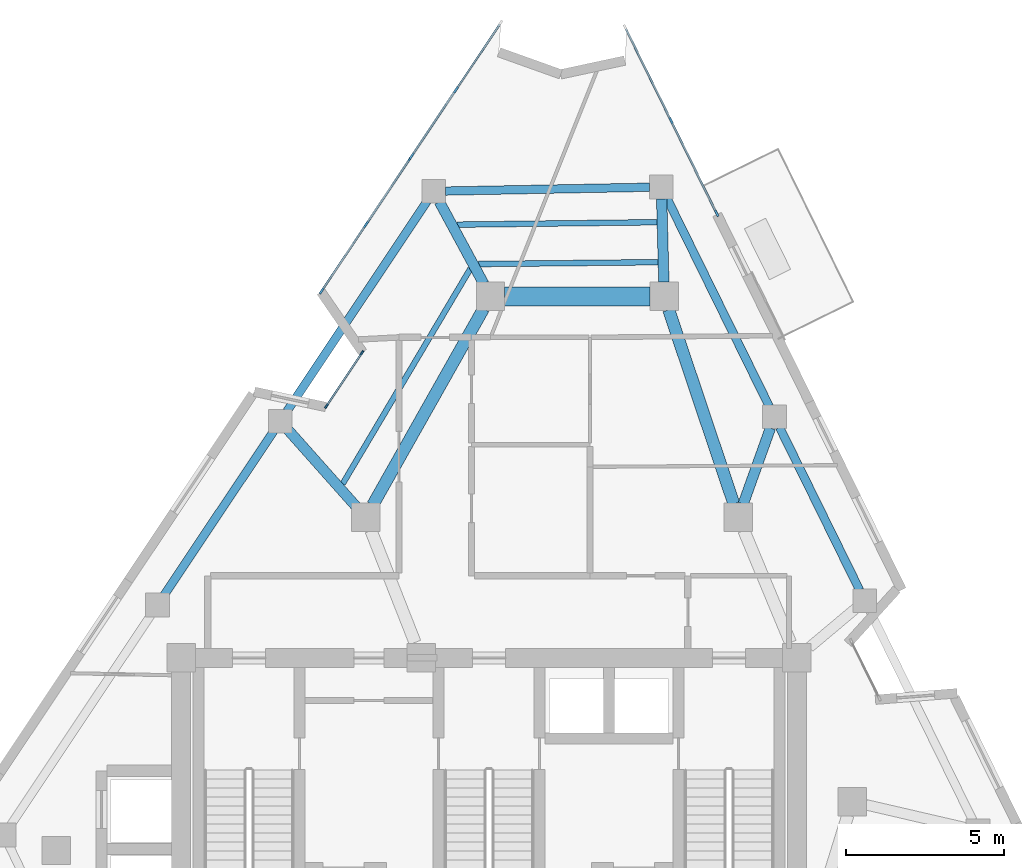
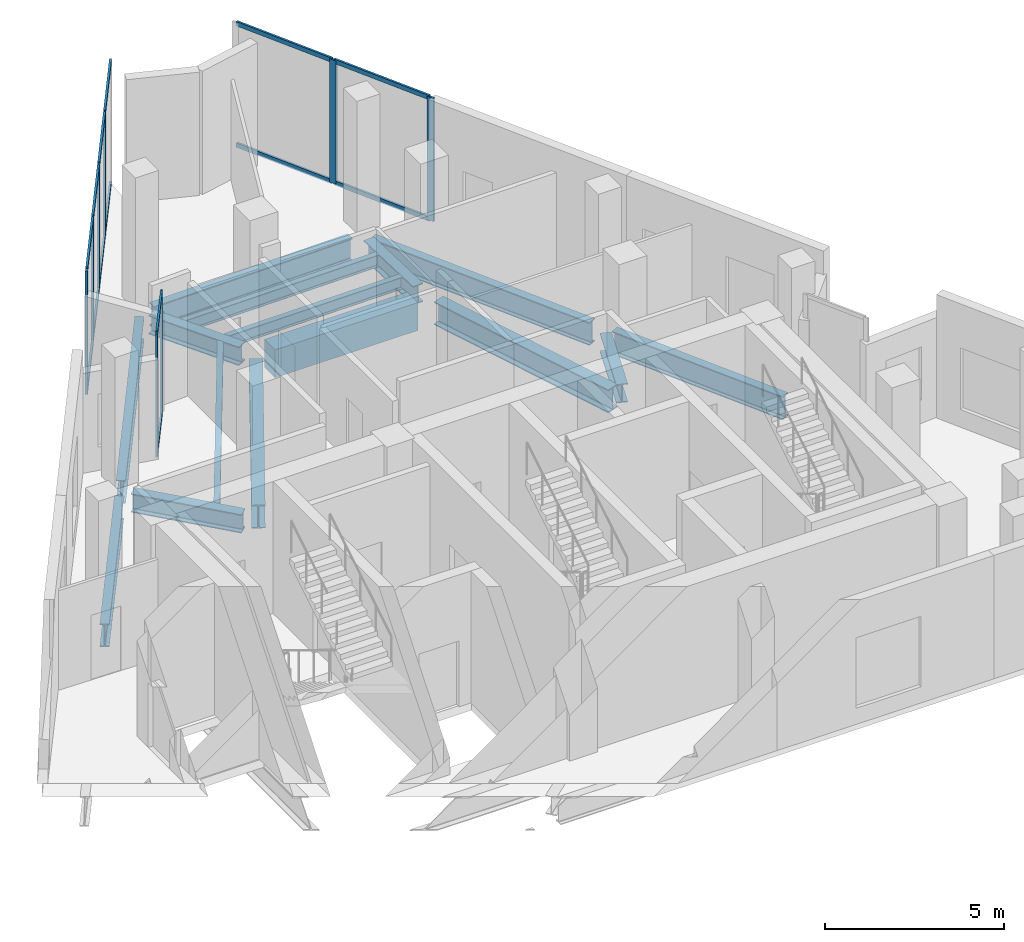
# One storey, part 3 of 9: 23 members, 15 beams, 4 elements without a shape of their own.
"""IFC4 building model written with IfcOpenShell, lengths in metres."""

from ifc_helpers import new_model, si_unit, direction, frame, origin, origin_2d, place, context, subcontext, project, spatial, rectangle, i_section, extrude, material, layer, layer_set, material_profile, profile_set, type_object, element, aggregate, save


model = new_model("IFC4")

# Units and contexts
model_context = context("Model", 3, precision=1e-05, world=origin(), true_north=direction((0.0, 1.0)))
body_context = subcontext(model_context, "Body", "Model", "MODEL_VIEW")
ifc_project = project(units=[si_unit("LENGTHUNIT", "METRE"), si_unit("AREAUNIT", "SQUARE_METRE"), si_unit("VOLUMEUNIT", "CUBIC_METRE"), si_unit("PLANEANGLEUNIT", "RADIAN"), si_unit("MASSUNIT", "GRAM", prefix="KILO")], contexts=[model_context])

# Site, building, storey
site_placement = place(None, origin())
site = spatial("IfcSite", under=ifc_project, at=site_placement, CompositionType="ELEMENT")
building_placement = place(site_placement, origin())
building = spatial("IfcBuilding", under=site, at=building_placement, Name="Almagre Mirador Tower", CompositionType="ELEMENT")
storey_placement = place(building_placement, frame((0.0, 0.0, 289.5)))
storey = spatial("IfcBuildingStorey", under=building, at=storey_placement, Name="L75", CompositionType="ELEMENT", Elevation=289.5)

# Beams
ifc_material_1 = material(Name="Steel ASTM A992 Grade 50", Category="steel")
ifc_material_profile_1 = material_profile(ifc_material_1, i_section(OverallWidth=0.178955078125, OverallDepth=0.408935546875, WebThickness=0.0087890625, FlangeThickness=0.014404296875, FilletRadius=0.013916015625, at=origin_2d()), Name="W16X45")
ifc_profile_set_1 = profile_set([ifc_material_profile_1], Name="Steel ASTM A992 Grade 50")
beam_type_1 = type_object("IfcBeamType", Name="BM-JST-W16X45", PredefinedType="JOIST", material=ifc_profile_set_1)
beam_1_placement = place(storey_placement, frame((42.62451171875, 28.546630859375, -0.50439453125), z_axis=(-0.999926806347, -0.012098840784, 0.0), x_axis=(0.012098840784, -0.999926806347, 0.0)))
element("IfcBeam", 1, at=beam_1_placement, inside=storey, type_object=beam_type_1, Name="L75 secondary floor joist PC08-PC09.1", PredefinedType="JOIST", context=body_context, shape_type="SweptSolid", body=[
    extrude(i_section(OverallWidth=0.178955078125, OverallDepth=0.408935546875, WebThickness=0.0087890625, FlangeThickness=0.014404296875, FilletRadius=0.013916015625, at=origin_2d()), origin(), (0.0, 0.0, 1.0), 6.336181640625),
])
beam_2_placement = place(storey_placement, frame((42.656982421875, 27.281005859375, -0.50439453125), z_axis=(-0.999945713719, -0.010419674461, 0.0), x_axis=(0.010419674461, -0.999945713719, 0.0)))
element("IfcBeam", 2, at=beam_2_placement, inside=storey, type_object=beam_type_1, Name="L75 secondary floor joist PC08-PC09.3", PredefinedType="JOIST", context=body_context, shape_type="SweptSolid", body=[
    extrude(i_section(OverallWidth=0.178955078125, OverallDepth=0.408935546875, WebThickness=0.0087890625, FlangeThickness=0.014404296875, FilletRadius=0.013916015625, at=origin_2d()), origin(), (0.0, 0.0, 1.0), 5.693603515625),
])
beam_3_placement = place(storey_placement, frame((36.71435546875, 27.078125, -0.50439453125), z_axis=(-0.510523100762, -0.85986403785, 0.0), x_axis=(0.85986403785, -0.510523100762, 0.0)))
element("IfcBeam", 3, at=beam_3_placement, inside=storey, type_object=beam_type_1, Name="L75 secondary floor joist PC09-PC10.3", PredefinedType="JOIST", context=body_context, shape_type="SweptSolid", body=[
    extrude(i_section(OverallWidth=0.178955078125, OverallDepth=0.408935546875, WebThickness=0.0087890625, FlangeThickness=0.014404296875, FilletRadius=0.013916015625, at=origin_2d()), origin(), (0.0, 0.0, 1.0), 7.927978515625),
])
ifc_material_2 = material(Name="Concrete C60/75", Category="concrete")
ifc_material_profile_2 = material_profile(ifc_material_2, rectangle(XDim=0.60009765625, YDim=0.949951171875, at=origin_2d()), Name="RC600X950")
ifc_profile_set_2 = profile_set([ifc_material_profile_2], Name="Concrete C60/75")
beam_type_2 = type_object("IfcBeamType", Name="BM-LIN-RC600X950", PredefinedType="LINTEL", material=ifc_profile_set_2)
beam_4_placement = place(storey_placement, frame((37.800048828125, 26.199951171875, -0.77490234375), z_axis=(1.0, 0.0, 0.0), x_axis=(0.0, 1.0, 0.0)))
element("IfcBeam", 4, at=beam_4_placement, inside=storey, type_object=beam_type_2, Name="L75 coupled header lintel LN-01", PredefinedType="LINTEL", context=body_context, shape_type="SweptSolid", body=[
    extrude(rectangle(XDim=0.60009765625, YDim=0.949951171875, at=origin_2d()), origin(), (0.0, 0.0, 1.0), 4.599853515625),
])
ifc_material_3 = material(Name="Steel ASTM A992 Grade 50", Category="steel")
ifc_material_profile_3 = material_profile(ifc_material_3, i_section(OverallWidth=0.26708984375, OverallDepth=0.779052734375, WebThickness=0.0166015625, FlangeThickness=0.030029296875, FilletRadius=0.02392578125, at=origin_2d()), Name="W30X148")
ifc_profile_set_3 = profile_set([ifc_material_profile_3], Name="Steel ASTM A992 Grade 50")
beam_type_3 = type_object("IfcBeamType", Name="BM-SPN-W30X148", PredefinedType="SPANDREL", material=ifc_profile_set_3)
beam_5_placement = place(storey_placement, frame((49.03955078125, 16.89453125, -0.689453125), z_axis=(-0.441283159843, 0.897367913867, 0.0), x_axis=(-0.897367913867, -0.441283159843, 0.0)))
element("IfcBeam", 5, at=beam_5_placement, inside=storey, type_object=beam_type_3, Name="L75 perimeter spandrel beam PC06-PC07", PredefinedType="SPANDREL", context=body_context, shape_type="SweptSolid", body=[
    extrude(i_section(OverallWidth=0.26708984375, OverallDepth=0.779052734375, WebThickness=0.0166015625, FlangeThickness=0.030029296875, FilletRadius=0.02392578125, at=origin_2d()), origin(), (0.0, 0.0, 1.0), 5.739990234375),
])
beam_6_placement = place(storey_placement, frame((46.175537109375, 22.718505859375, -0.689453125), z_axis=(-0.441288138853, 0.897365465408, 0.0), x_axis=(-0.897365465408, -0.441288138853, 0.0)))
element("IfcBeam", 6, at=beam_6_placement, inside=storey, type_object=beam_type_3, Name="L75 perimeter spandrel beam PC07-PC08", PredefinedType="SPANDREL", context=body_context, shape_type="SweptSolid", body=[
    extrude(i_section(OverallWidth=0.26708984375, OverallDepth=0.779052734375, WebThickness=0.0166015625, FlangeThickness=0.030029296875, FilletRadius=0.02392578125, at=origin_2d()), origin(), (0.0, 0.0, 1.0), 7.362548828125),
])
beam_7_placement = place(storey_placement, frame((42.385986328125, 29.65478515625, -0.689453125), z_axis=(-0.99982288109, -0.018820373253, 0.0), x_axis=(0.018820373253, -0.99982288109, 0.0)))
element("IfcBeam", 7, at=beam_7_placement, inside=storey, type_object=beam_type_3, Name="L75 perimeter spandrel beam PC08-PC09", PredefinedType="SPANDREL", context=body_context, shape_type="SweptSolid", body=[
    extrude(i_section(OverallWidth=0.26708984375, OverallDepth=0.779052734375, WebThickness=0.0166015625, FlangeThickness=0.030029296875, FilletRadius=0.02392578125, at=origin_2d()), origin(), (0.0, 0.0, 1.0), 6.460205078125),
])
beam_8_placement = place(storey_placement, frame((35.34375, 29.214111328125, -0.689453125), z_axis=(-0.555228061938, -0.831698141898, 0.0), x_axis=(0.831698141898, -0.555228061938, 0.0)))
element("IfcBeam", 8, at=beam_8_placement, inside=storey, type_object=beam_type_3, Name="L75 perimeter spandrel beam PC09-PC10", PredefinedType="SPANDREL", context=body_context, shape_type="SweptSolid", body=[
    extrude(i_section(OverallWidth=0.26708984375, OverallDepth=0.779052734375, WebThickness=0.0166015625, FlangeThickness=0.030029296875, FilletRadius=0.02392578125, at=origin_2d()), origin(), (0.0, 0.0, 1.0), 8.003173828125),
])
beam_9_placement = place(storey_placement, frame((30.48388671875, 21.93408203125, -0.689453125), z_axis=(-0.555240722479, -0.831689689789, 0.0), x_axis=(0.831689689789, -0.555240722479, 0.0)))
element("IfcBeam", 9, at=beam_9_placement, inside=storey, type_object=beam_type_3, Name="L75 perimeter spandrel beam PC10-PC11", PredefinedType="SPANDREL", context=body_context, shape_type="SweptSolid", body=[
    extrude(i_section(OverallWidth=0.26708984375, OverallDepth=0.779052734375, WebThickness=0.0166015625, FlangeThickness=0.030029296875, FilletRadius=0.02392578125, at=origin_2d()), origin(), (0.0, 0.0, 1.0), 6.252685546875),
])
ifc_material_4 = material(Name="Steel ASTM A992 Grade 50", Category="steel")
ifc_material_profile_4 = material_profile(ifc_material_4, i_section(OverallWidth=0.330078125, OverallDepth=0.635009765625, WebThickness=0.017822265625, FlangeThickness=0.031005859375, FilletRadius=0.02001953125, at=origin_2d()), Name="W24X162")
ifc_profile_set_4 = profile_set([ifc_material_profile_4], Name="Steel ASTM A992 Grade 50")
beam_type_4 = type_object("IfcBeamType", Name="BM-STL-W24X162", PredefinedType="BEAM", material=ifc_profile_set_4)
beam_10_placement = place(storey_placement, frame((46.21435546875, 22.029052734375, -0.617431640625), z_axis=(-0.337528381074, -0.941315352031, 0.0), x_axis=(0.941315352031, -0.337528381074, 0.0)))
element("IfcBeam", 10, at=beam_10_placement, inside=storey, type_object=beam_type_4, Name="L75 radial floor girder PC07-MC5", PredefinedType="BEAM", context=body_context, shape_type="SweptSolid", body=[
    extrude(i_section(OverallWidth=0.330078125, OverallDepth=0.635009765625, WebThickness=0.017822265625, FlangeThickness=0.031005859375, FilletRadius=0.02001953125, at=origin_2d()), origin(), (0.0, 0.0, 1.0), 2.555419921875),
])
beam_11_placement = place(storey_placement, frame((42.7705078125, 29.287109375, -0.617431640625), z_axis=(0.025727456063, -0.99966899422, 0.0), x_axis=(0.99966899422, 0.025727456063, 0.0)))
element("IfcBeam", 11, at=beam_11_placement, inside=storey, type_object=beam_type_4, Name="L75 radial floor girder PC08-MC6", PredefinedType="BEAM", context=body_context, shape_type="SweptSolid", body=[
    extrude(i_section(OverallWidth=0.330078125, OverallDepth=0.635009765625, WebThickness=0.017822265625, FlangeThickness=0.031005859375, FilletRadius=0.02001953125, at=origin_2d()), origin(), (0.0, 0.0, 1.0), 2.63818359375),
])
beam_12_placement = place(storey_placement, frame((35.730224609375, 29.196044921875, -0.617431640625), z_axis=(0.475596501602, -0.879663553675, 0.0), x_axis=(0.879663553675, 0.475596501602, 0.0)))
element("IfcBeam", 12, at=beam_12_placement, inside=storey, type_object=beam_type_4, Name="L75 radial floor girder PC09-MC7", PredefinedType="BEAM", context=body_context, shape_type="SweptSolid", body=[
    extrude(i_section(OverallWidth=0.330078125, OverallDepth=0.635009765625, WebThickness=0.017822265625, FlangeThickness=0.031005859375, FilletRadius=0.02001953125, at=origin_2d()), origin(), (0.0, 0.0, 1.0), 2.955810546875),
])
beam_13_placement = place(storey_placement, frame((30.941162109375, 21.9658203125, -0.617431640625), z_axis=(0.664433759144, -0.747347161438, 0.0), x_axis=(0.747347161438, 0.664433759144, 0.0)))
element("IfcBeam", 13, at=beam_13_placement, inside=storey, type_object=beam_type_4, Name="L75 radial floor girder PC10-MC8", PredefinedType="BEAM", context=body_context, shape_type="SweptSolid", body=[
    extrude(i_section(OverallWidth=0.330078125, OverallDepth=0.635009765625, WebThickness=0.017822265625, FlangeThickness=0.031005859375, FilletRadius=0.02001953125, at=origin_2d()), origin(), (0.0, 0.0, 1.0), 3.250732421875),
])
ifc_material_5 = material(Name="Steel ASTM A992 Grade 50", Category="steel")
ifc_material_profile_5 = material_profile(ifc_material_5, i_section(OverallWidth=0.384033203125, OverallDepth=0.784912109375, WebThickness=0.019775390625, FlangeThickness=0.033447265625, FilletRadius=0.02392578125, at=origin_2d()), Name="W30X211")
ifc_profile_set_5 = profile_set([ifc_material_profile_5], Name="Steel ASTM A992 Grade 50")
beam_type_5 = type_object("IfcBeamType", Name="BM-STL-W30X211", PredefinedType="BEAM", material=ifc_profile_set_5)
beam_14_placement = place(storey_placement, frame((42.9931640625, 25.7734375, -0.6923828125), z_axis=(0.318282890726, -0.947995781357, 0.0), x_axis=(0.947995781357, 0.318282890726, 0.0)))
element("IfcBeam", 14, at=beam_14_placement, inside=storey, type_object=beam_type_5, Name="L75 core tie girder MC6-MC5", PredefinedType="BEAM", context=body_context, shape_type="SweptSolid", body=[
    extrude(i_section(OverallWidth=0.384033203125, OverallDepth=0.784912109375, WebThickness=0.019775390625, FlangeThickness=0.033447265625, FilletRadius=0.02392578125, at=origin_2d()), origin(), (0.0, 0.0, 1.0), 6.48388671875),
])
beam_15_placement = place(storey_placement, frame((37.12890625, 25.80810546875, -0.6923828125), z_axis=(-0.491446261843, -0.870907900825, 0.0), x_axis=(0.870907900825, -0.491446261843, 0.0)))
element("IfcBeam", 15, at=beam_15_placement, inside=storey, type_object=beam_type_5, Name="L75 core tie girder MC7-MC8", PredefinedType="BEAM", context=body_context, shape_type="SweptSolid", body=[
    extrude(i_section(OverallWidth=0.384033203125, OverallDepth=0.784912109375, WebThickness=0.019775390625, FlangeThickness=0.033447265625, FilletRadius=0.02392578125, at=origin_2d()), origin(), (0.0, 0.0, 1.0), 7.1376953125),
])

# Curtain wall, members
ifc_material_6 = material(Name="Black anodized aluminium", Category="aluminium")
ifc_layer_1 = layer(ifc_material_6, 0.169921875)
ifc_layer_set_1 = layer_set([ifc_layer_1], Name="Black anodized aluminium")
curtain_wall_type_1 = type_object("IfcCurtainWallType", Name="CW-CRS-SYS", PredefinedType="NOTDEFINED", material=ifc_layer_set_1)
curtain_wall_1_placement = place(storey_placement, origin())
curtain_wall_1 = element("IfcCurtainWall", 16, at=curtain_wall_1_placement, inside=storey, type_object=curtain_wall_type_1, Name="L75 vertical crease curtain wall 01", PredefinedType="NOTDEFINED")
ifc_material_7 = material(Name="Black anodized aluminium", Category="aluminium")
ifc_material_profile_6 = material_profile(ifc_material_7, rectangle(XDim=0.06005859375, YDim=0.14990234375, at=origin_2d()), Name="CWM60X150")
ifc_profile_set_6 = profile_set([ifc_material_profile_6], Name="Black anodized aluminium")
member_type_1 = type_object("IfcMemberType", Name="MBR-CWM60X150", PredefinedType="MULLION", material=ifc_profile_set_6)
member_1_placement = place(storey_placement, frame((32.151611328125, 22.721923828125, 0.0), z_axis=(0.0, 0.0, 1.0), x_axis=(-0.83153468861, 0.555472827093, 0.0)))
member_1 = element("IfcMember", 17, at=member_1_placement, type_object=member_type_1, Name="CW-4 mullion 1", PredefinedType="MULLION", context=body_context, shape_type="SweptSolid", body=[
    extrude(rectangle(XDim=0.06005859375, YDim=0.14990234375, at=origin_2d()), origin(), (0.0, 0.0, 1.0), 4.199951171875),
])
member_2_placement = place(storey_placement, frame((33.279296875, 24.41015625, 0.0), z_axis=(0.0, 0.0, 1.0), x_axis=(-0.83153468861, 0.555472827093, 0.0)))
member_2 = element("IfcMember", 18, at=member_2_placement, type_object=member_type_1, Name="CW-4 mullion 2", PredefinedType="MULLION", context=body_context, shape_type="SweptSolid", body=[
    extrude(rectangle(XDim=0.06005859375, YDim=0.14990234375, at=origin_2d()), origin(), (0.0, 0.0, 1.0), 4.199951171875),
])

ifc_material_8 = material(Name="Black anodized aluminium", Category="aluminium")
ifc_layer_2 = layer(ifc_material_8, 0.22998046875)
ifc_layer_set_2 = layer_set([ifc_layer_2], Name="Black anodized aluminium")
curtain_wall_type_2 = type_object("IfcCurtainWallType", Name="CW-SKY-SYS", PredefinedType="NOTDEFINED", material=ifc_layer_set_2)
curtain_wall_2_placement = place(storey_placement, origin())
curtain_wall_2 = element("IfcCurtainWall", 19, at=curtain_wall_2_placement, inside=storey, type_object=curtain_wall_type_2, Name="L75 curtain wall run 02", PredefinedType="NOTDEFINED")
ifc_material_9 = material(Name="Black anodized aluminium", Category="aluminium")
ifc_material_profile_7 = material_profile(ifc_material_9, rectangle(XDim=0.070068359375, YDim=0.2099609375, at=origin_2d()), Name="CWM70X210")
ifc_profile_set_7 = profile_set([ifc_material_profile_7], Name="Black anodized aluminium")
member_type_2 = type_object("IfcMemberType", Name="MBR-CWM70X210", PredefinedType="MULLION", material=ifc_profile_set_7)
member_3_placement = place(storey_placement, frame((32.00146484375, 26.369140625, 0.0), z_axis=(0.0, 0.0, 1.0), x_axis=(-0.831675236071, 0.555262371952, 0.0)))
member_3 = element("IfcMember", 20, at=member_3_placement, type_object=member_type_2, Name="CW-5 mullion 1", PredefinedType="MULLION", context=body_context, shape_type="SweptSolid", body=[
    extrude(rectangle(XDim=0.070068359375, YDim=0.2099609375, at=origin_2d()), origin(), (0.0, 0.0, 1.0), 4.199951171875),
])
member_4_placement = place(storey_placement, frame((33.40625, 28.47314453125, 0.0), z_axis=(0.0, 0.0, 1.0), x_axis=(-0.831675236071, 0.555262371952, 0.0)))
member_4 = element("IfcMember", 21, at=member_4_placement, type_object=member_type_2, Name="CW-5 mullion 2", PredefinedType="MULLION", context=body_context, shape_type="SweptSolid", body=[
    extrude(rectangle(XDim=0.070068359375, YDim=0.2099609375, at=origin_2d()), origin(), (0.0, 0.0, 1.0), 4.199951171875),
])
member_5_placement = place(storey_placement, frame((34.81103515625, 30.577392578125, 0.0), z_axis=(0.0, 0.0, 1.0), x_axis=(-0.831675236071, 0.555262371952, 0.0)))
member_5 = element("IfcMember", 22, at=member_5_placement, type_object=member_type_2, Name="CW-5 mullion 3", PredefinedType="MULLION", context=body_context, shape_type="SweptSolid", body=[
    extrude(rectangle(XDim=0.070068359375, YDim=0.2099609375, at=origin_2d()), origin(), (0.0, 0.0, 1.0), 4.199951171875),
])

curtain_wall_3_placement = place(storey_placement, origin())
curtain_wall_3 = element("IfcCurtainWall", 23, at=curtain_wall_3_placement, inside=storey, type_object=curtain_wall_type_2, Name="L75 curtain wall run 03", PredefinedType="NOTDEFINED")
member_6_placement = place(storey_placement, frame((34.849853515625, 30.635498046875, 0.0), z_axis=(0.0, 0.0, 1.0), x_axis=(-0.831675236071, 0.555262371952, 0.0)))
member_6 = element("IfcMember", 24, at=member_6_placement, type_object=member_type_2, Name="CW-5 mullion 1", PredefinedType="MULLION", context=body_context, shape_type="SweptSolid", body=[
    extrude(rectangle(XDim=0.070068359375, YDim=0.2099609375, at=origin_2d()), origin(), (0.0, 0.0, 1.0), 4.199951171875),
])
member_7_placement = place(storey_placement, frame((36.254638671875, 32.73974609375, 0.0), z_axis=(0.0, 0.0, 1.0), x_axis=(-0.831675236071, 0.555262371952, 0.0)))
member_7 = element("IfcMember", 25, at=member_7_placement, type_object=member_type_2, Name="CW-5 mullion 2", PredefinedType="MULLION", context=body_context, shape_type="SweptSolid", body=[
    extrude(rectangle(XDim=0.070068359375, YDim=0.2099609375, at=origin_2d()), origin(), (0.0, 0.0, 1.0), 4.199951171875),
])

curtain_wall_4_placement = place(storey_placement, origin())
curtain_wall_4 = element("IfcCurtainWall", 26, at=curtain_wall_4_placement, inside=storey, type_object=curtain_wall_type_2, Name="L75 curtain wall run 04", PredefinedType="NOTDEFINED")
member_8_placement = place(storey_placement, frame((43.064697265625, 31.7646484375, 0.0), z_axis=(0.0, 0.0, 1.0), x_axis=(0.897357610664, 0.441304111225, 0.0)))
member_8 = element("IfcMember", 27, at=member_8_placement, type_object=member_type_2, Name="CW-5 mullion 2", PredefinedType="MULLION", context=body_context, shape_type="SweptSolid", body=[
    extrude(rectangle(XDim=0.070068359375, YDim=0.2099609375, at=origin_2d()), origin(), (0.0, 0.0, 1.0), 4.199951171875),
])
member_9_placement = place(storey_placement, frame((44.510986328125, 28.823974609375, 0.0), z_axis=(0.0, 0.0, 1.0), x_axis=(0.897357610664, 0.441304111225, 0.0)))
member_9 = element("IfcMember", 28, at=member_9_placement, type_object=member_type_2, Name="CW-5 mullion 3", PredefinedType="MULLION", context=body_context, shape_type="SweptSolid", body=[
    extrude(rectangle(XDim=0.070068359375, YDim=0.2099609375, at=origin_2d()), origin(), (0.0, 0.0, 1.0), 4.199951171875),
])

# Member
ifc_material_10 = material(Name="Black anodized aluminium", Category="aluminium")
ifc_material_profile_8 = material_profile(ifc_material_10, rectangle(XDim=0.06005859375, YDim=0.1298828125, at=origin_2d()), Name="CWT60X130")
ifc_profile_set_8 = profile_set([ifc_material_profile_8], Name="Black anodized aluminium")
member_type_3 = type_object("IfcMemberType", Name="MBR-CWT60X130", PredefinedType="USERDEFINED", material=ifc_profile_set_8)
member_10_placement = place(storey_placement, frame((32.168212890625, 22.746826171875, 0.030029296875), z_axis=(0.555529225299, 0.831497011323, 0.0), x_axis=(-0.831497011323, 0.555529225299, 0.0)))
member_10 = element("IfcMember", 29, at=member_10_placement, type_object=member_type_3, Name="CW-4 transom 1.1", ObjectType="TRANSOM", PredefinedType="USERDEFINED", context=body_context, shape_type="SweptSolid", body=[
    extrude(rectangle(XDim=0.06005859375, YDim=0.1298828125, at=origin_2d()), origin(), (0.0, 0.0, 1.0), 1.97021484375),
])

member_11_placement = place(storey_placement, frame((32.168212890625, 22.746826171875, 4.169921875), z_axis=(0.555529225299, 0.831497011323, 0.0), x_axis=(-0.831497011323, 0.555529225299, 0.0)))
member_11 = element("IfcMember", 30, at=member_11_placement, type_object=member_type_3, Name="CW-4 transom 1.2", ObjectType="TRANSOM", PredefinedType="USERDEFINED", context=body_context, shape_type="SweptSolid", body=[
    extrude(rectangle(XDim=0.06005859375, YDim=0.1298828125, at=origin_2d()), origin(), (0.0, 0.0, 1.0), 1.97021484375),
])

aggregate(curtain_wall_1, [member_1, member_2, member_10, member_11])

ifc_material_11 = material(Name="Black anodized aluminium", Category="aluminium")
ifc_material_profile_9 = material_profile(ifc_material_11, rectangle(XDim=0.06494140625, YDim=0.14990234375, at=origin_2d()), Name="CWT65X150")
ifc_profile_set_9 = profile_set([ifc_material_profile_9], Name="Black anodized aluminium")
member_type_4 = type_object("IfcMemberType", Name="MBR-CWT65X150", PredefinedType="USERDEFINED", material=ifc_profile_set_9)
member_12_placement = place(storey_placement, frame((32.020751953125, 26.398193359375, 0.032470703125), z_axis=(0.555272628955, 0.831668387961, 0.0), x_axis=(-0.831668387961, 0.555272628955, 0.0)))
member_12 = element("IfcMember", 31, at=member_12_placement, type_object=member_type_4, Name="CW-5 transom 1.1", ObjectType="TRANSOM", PredefinedType="USERDEFINED", context=body_context, shape_type="SweptSolid", body=[
    extrude(rectangle(XDim=0.06494140625, YDim=0.14990234375, at=origin_2d()), origin(), (0.0, 0.0, 1.0), 2.4599609375),
])

member_13_placement = place(storey_placement, frame((32.020751953125, 26.398193359375, 4.16748046875), z_axis=(0.555272628955, 0.831668387961, 0.0), x_axis=(-0.831668387961, 0.555272628955, 0.0)))
member_13 = element("IfcMember", 32, at=member_13_placement, type_object=member_type_4, Name="CW-5 transom 1.2", ObjectType="TRANSOM", PredefinedType="USERDEFINED", context=body_context, shape_type="SweptSolid", body=[
    extrude(rectangle(XDim=0.06494140625, YDim=0.14990234375, at=origin_2d()), origin(), (0.0, 0.0, 1.0), 2.4599609375),
])

member_14_placement = place(storey_placement, frame((33.42578125, 28.50244140625, 0.032470703125), z_axis=(0.555272628955, 0.831668387961, 0.0), x_axis=(-0.831668387961, 0.555272628955, 0.0)))
member_14 = element("IfcMember", 33, at=member_14_placement, type_object=member_type_4, Name="CW-5 transom 2.1", ObjectType="TRANSOM", PredefinedType="USERDEFINED", context=body_context, shape_type="SweptSolid", body=[
    extrude(rectangle(XDim=0.06494140625, YDim=0.14990234375, at=origin_2d()), origin(), (0.0, 0.0, 1.0), 2.4599609375),
])

member_15_placement = place(storey_placement, frame((33.42578125, 28.50244140625, 4.16748046875), z_axis=(0.555272628955, 0.831668387961, 0.0), x_axis=(-0.831668387961, 0.555272628955, 0.0)))
member_15 = element("IfcMember", 34, at=member_15_placement, type_object=member_type_4, Name="CW-5 transom 2.2", ObjectType="TRANSOM", PredefinedType="USERDEFINED", context=body_context, shape_type="SweptSolid", body=[
    extrude(rectangle(XDim=0.06494140625, YDim=0.14990234375, at=origin_2d()), origin(), (0.0, 0.0, 1.0), 2.4599609375),
])

aggregate(curtain_wall_2, [member_3, member_4, member_5, member_12, member_13, member_14, member_15])

member_16_placement = place(storey_placement, frame((34.869384765625, 30.664794921875, 0.032470703125), z_axis=(0.555272628955, 0.831668387961, 0.0), x_axis=(-0.831668387961, 0.555272628955, 0.0)))
member_16 = element("IfcMember", 35, at=member_16_placement, type_object=member_type_4, Name="CW-5 transom 1.1", ObjectType="TRANSOM", PredefinedType="USERDEFINED", context=body_context, shape_type="SweptSolid", body=[
    extrude(rectangle(XDim=0.06494140625, YDim=0.14990234375, at=origin_2d()), origin(), (0.0, 0.0, 1.0), 2.4599609375),
])

member_17_placement = place(storey_placement, frame((34.869384765625, 30.664794921875, 4.16748046875), z_axis=(0.555272628955, 0.831668387961, 0.0), x_axis=(-0.831668387961, 0.555272628955, 0.0)))
member_17 = element("IfcMember", 36, at=member_17_placement, type_object=member_type_4, Name="CW-5 transom 1.2", ObjectType="TRANSOM", PredefinedType="USERDEFINED", context=body_context, shape_type="SweptSolid", body=[
    extrude(rectangle(XDim=0.06494140625, YDim=0.14990234375, at=origin_2d()), origin(), (0.0, 0.0, 1.0), 2.4599609375),
])

member_18_placement = place(storey_placement, frame((36.274169921875, 32.768798828125, 0.032470703125), z_axis=(0.555272628955, 0.831668387961, 0.0), x_axis=(-0.831668387961, 0.555272628955, 0.0)))
member_18 = element("IfcMember", 37, at=member_18_placement, type_object=member_type_4, Name="CW-5 transom 2.1", ObjectType="TRANSOM", PredefinedType="USERDEFINED", context=body_context, shape_type="SweptSolid", body=[
    extrude(rectangle(XDim=0.06494140625, YDim=0.14990234375, at=origin_2d()), origin(), (0.0, 0.0, 1.0), 2.4599609375),
])

member_19_placement = place(storey_placement, frame((36.274169921875, 32.768798828125, 4.16748046875), z_axis=(0.555272628955, 0.831668387961, 0.0), x_axis=(-0.831668387961, 0.555272628955, 0.0)))
member_19 = element("IfcMember", 38, at=member_19_placement, type_object=member_type_4, Name="CW-5 transom 2.2", ObjectType="TRANSOM", PredefinedType="USERDEFINED", context=body_context, shape_type="SweptSolid", body=[
    extrude(rectangle(XDim=0.06494140625, YDim=0.14990234375, at=origin_2d()), origin(), (0.0, 0.0, 1.0), 2.4599609375),
])

aggregate(curtain_wall_3, [member_6, member_7, member_16, member_17, member_18, member_19])

member_20_placement = place(storey_placement, frame((41.634033203125, 34.673828125, 0.032470703125), z_axis=(0.441296542716, -0.897361332679, 0.0), x_axis=(0.897361332679, 0.441296542716, 0.0)))
member_20 = element("IfcMember", 39, at=member_20_placement, type_object=member_type_4, Name="CW-5 transom 1.1", ObjectType="TRANSOM", PredefinedType="USERDEFINED", context=body_context, shape_type="SweptSolid", body=[
    extrude(rectangle(XDim=0.06494140625, YDim=0.14990234375, at=origin_2d()), origin(), (0.0, 0.0, 1.0), 3.20703125),
])

member_21_placement = place(storey_placement, frame((41.634033203125, 34.673828125, 4.16748046875), z_axis=(0.441296542716, -0.897361332679, 0.0), x_axis=(0.897361332679, 0.441296542716, 0.0)))
member_21 = element("IfcMember", 40, at=member_21_placement, type_object=member_type_4, Name="CW-5 transom 1.2", ObjectType="TRANSOM", PredefinedType="USERDEFINED", context=body_context, shape_type="SweptSolid", body=[
    extrude(rectangle(XDim=0.06494140625, YDim=0.14990234375, at=origin_2d()), origin(), (0.0, 0.0, 1.0), 3.20703125),
])

member_22_placement = place(storey_placement, frame((43.080322265625, 31.733154296875, 0.032470703125), z_axis=(0.441296542716, -0.897361332679, 0.0), x_axis=(0.897361332679, 0.441296542716, 0.0)))
member_22 = element("IfcMember", 41, at=member_22_placement, type_object=member_type_4, Name="CW-5 transom 2.1", ObjectType="TRANSOM", PredefinedType="USERDEFINED", context=body_context, shape_type="SweptSolid", body=[
    extrude(rectangle(XDim=0.06494140625, YDim=0.14990234375, at=origin_2d()), origin(), (0.0, 0.0, 1.0), 3.20703125),
])

member_23_placement = place(storey_placement, frame((43.080322265625, 31.733154296875, 4.16748046875), z_axis=(0.441296542716, -0.897361332679, 0.0), x_axis=(0.897361332679, 0.441296542716, 0.0)))
member_23 = element("IfcMember", 42, at=member_23_placement, type_object=member_type_4, Name="CW-5 transom 2.2", ObjectType="TRANSOM", PredefinedType="USERDEFINED", context=body_context, shape_type="SweptSolid", body=[
    extrude(rectangle(XDim=0.06494140625, YDim=0.14990234375, at=origin_2d()), origin(), (0.0, 0.0, 1.0), 3.20703125),
])

aggregate(curtain_wall_4, [member_8, member_9, member_20, member_21, member_22, member_23])

save(model, "model.ifc")
